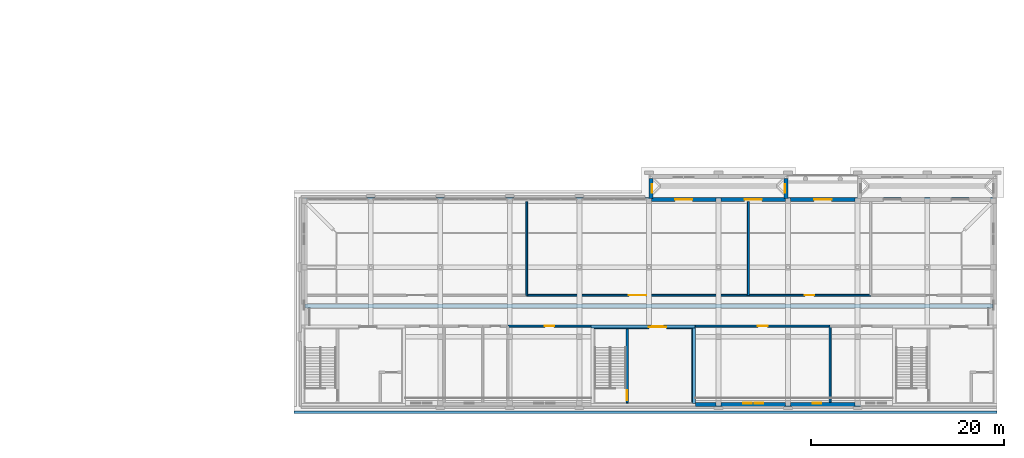
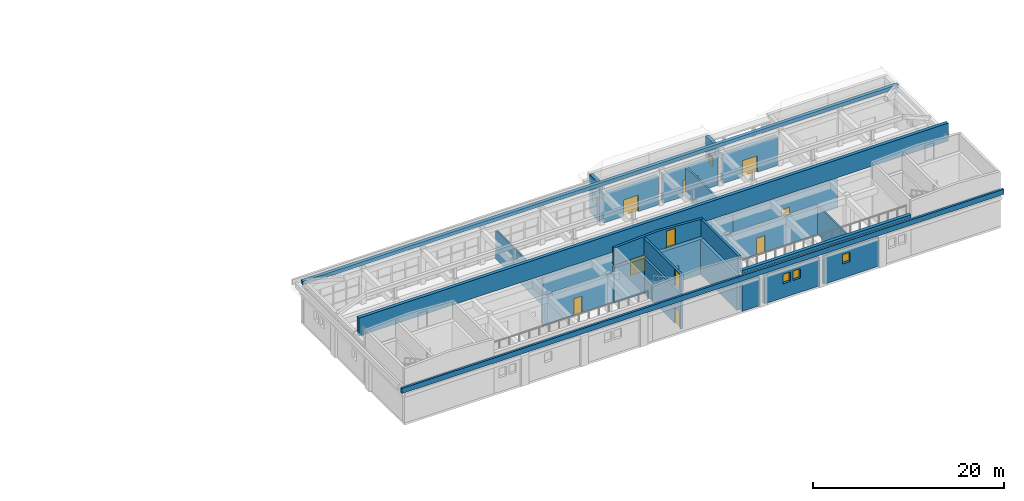
# One storey, part 37 of 48: 25 walls, 11 doors, 5 windows, 16 openings.
"""IFC4 building model written with IfcOpenShell, lengths in metres."""

from ifc_helpers import new_model, si_unit, direction, frame, frame_2d, origin, place, context, subcontext, project, spatial, polyline, rectangle, outline, extrude, material, layer, layer_set, type_object, element, fill, save


model = new_model("IFC4")

# Units and contexts
model_context = context("Model", 3, precision=1e-05, world=origin(), true_north=direction((0.0, 1.0)))
body_context = subcontext(model_context, "Body", "Model", "MODEL_VIEW")
ifc_project = project(units=[si_unit("LENGTHUNIT", "METRE"), si_unit("AREAUNIT", "SQUARE_METRE"), si_unit("VOLUMEUNIT", "CUBIC_METRE"), si_unit("PLANEANGLEUNIT", "RADIAN"), si_unit("MASSUNIT", "GRAM", prefix="KILO")], contexts=[model_context])

# Site, building, storey
site_placement = place(None, origin())
site = spatial("IfcSite", under=ifc_project, at=site_placement, CompositionType="ELEMENT")
building_placement = place(site_placement, origin())
building = spatial("IfcBuilding", under=site, at=building_placement, Name="Alderwick Market Hall", CompositionType="ELEMENT")
storey_placement = place(building_placement, frame((0.0, 0.0, 14.39990234375)))
storey = spatial("IfcBuildingStorey", under=building, at=storey_placement, Name="L02", CompositionType="ELEMENT", Elevation=14.39990234375)

# Wall, opening, door
ifc_material_1 = material(Name="Face brick", Category="masonry")
ifc_layer_1 = layer(ifc_material_1, 0.39990234375)
ifc_layer_set_1 = layer_set([ifc_layer_1], Name="Face brick")
wall_type_1 = type_object("IfcWallType", Name="C Brick Pier Wall 400", PredefinedType="SOLIDWALL", material=ifc_layer_set_1)
wall_1_placement = place(storey_placement, frame((194.675048828125, 28.60009765625, 0.0), z_axis=(0.0, 0.0, 1.0), x_axis=(1.0, 0.0, 0.0)))
wall_1 = element("IfcWall", 1, at=wall_1_placement, inside=storey, type_object=wall_type_1, Name="C.wall.L02.fac.front.07", PredefinedType="SOLIDWALL", context=body_context, shape_type="SweptSolid", body=[
    extrude(rectangle(XDim=6.64990234375, YDim=0.39990234375, at=frame_2d((3.324951171875, 0.0))), origin(), (0.0, 0.0, 1.0), 3.7001953125),
])
opening_1_placement = place(wall_1_placement, frame((2.425048828125, 0.0, 0.0)))
opening_1 = element("IfcOpeningElement", 2, at=opening_1_placement, cuts=wall_1, Name="Opening C-D014", PredefinedType="OPENING", context=body_context, shape_type="SweptSolid", body=[
    extrude(rectangle(XDim=1.800048828125, YDim=2.10009765625, at=frame_2d((0.89990234375, 1.050048828125))), frame((0.0, 0.2099609375, 0.0), z_axis=(0.0, -1.0, 0.0), x_axis=(1.0, 0.0, 0.0)), (0.0, 0.0, 1.0), 0.419921875),
])
ifc_material_2 = material(Name="Timber, solid core", Category="wood")
door_type_1 = type_object("IfcDoorType", Name="C Door Pair 1800x2100", OperationType="NOTDEFINED", PredefinedType="DOOR", material=ifc_material_2)
door_1_placement = place(opening_1_placement, origin())
door_1 = element("IfcDoor", 3, at=door_1_placement, inside=storey, type_object=door_type_1, Name="C.door.L02.014", OperationType="NOTDEFINED", OverallHeight=2.10009765625, OverallWidth=1.800048828125, PredefinedType="DOOR", context=body_context, shape_type="SweptSolid", body=[
    extrude(rectangle(XDim=1.800048828125, YDim=2.10009765625, at=frame_2d((0.89990234375, 1.050048828125))), frame((0.0, 0.02490234375, 0.0), z_axis=(0.0, -1.0, 0.0), x_axis=(1.0, 0.0, 0.0)), (0.0, 0.0, 1.0), 0.050048828125),
])
fill(opening_1, door_1)

wall_2_placement = place(storey_placement, frame((201.875, 28.60009765625, 0.0), z_axis=(0.0, 0.0, 1.0), x_axis=(1.0, 0.0, 0.0)))
wall_2 = element("IfcWall", 4, at=wall_2_placement, inside=storey, type_object=wall_type_1, Name="C.wall.L02.fac.front.08", PredefinedType="SOLIDWALL", context=body_context, shape_type="SweptSolid", body=[
    extrude(rectangle(XDim=6.64990234375, YDim=0.39990234375, at=frame_2d((3.324951171875, 0.0))), origin(), (0.0, 0.0, 1.0), 3.7001953125),
])
opening_2_placement = place(wall_2_placement, frame((2.425048828125, 0.0, 0.0)))
opening_2 = element("IfcOpeningElement", 5, at=opening_2_placement, cuts=wall_2, Name="Opening C-D015", PredefinedType="OPENING", context=body_context, shape_type="SweptSolid", body=[
    extrude(rectangle(XDim=1.800048828125, YDim=2.10009765625, at=frame_2d((0.89990234375, 1.050048828125))), frame((0.0, 0.2099609375, 0.0), z_axis=(0.0, -1.0, 0.0), x_axis=(1.0, 0.0, 0.0)), (0.0, 0.0, 1.0), 0.419921875),
])
door_2_placement = place(opening_2_placement, origin())
door_2 = element("IfcDoor", 6, at=door_2_placement, inside=storey, type_object=door_type_1, Name="C.door.L02.015", OperationType="NOTDEFINED", OverallHeight=2.10009765625, OverallWidth=1.800048828125, PredefinedType="DOOR", context=body_context, shape_type="SweptSolid", body=[
    extrude(rectangle(XDim=1.800048828125, YDim=2.10009765625, at=frame_2d((0.89990234375, 1.050048828125))), frame((0.0, 0.02490234375, 0.0), z_axis=(0.0, -1.0, 0.0), x_axis=(1.0, 0.0, 0.0)), (0.0, 0.0, 1.0), 0.050048828125),
])
fill(opening_2, door_2)

wall_3_placement = place(storey_placement, frame((209.074951171875, 28.60009765625, 0.0), z_axis=(0.0, 0.0, 1.0), x_axis=(1.0, 0.0, 0.0)))
wall_3 = element("IfcWall", 7, at=wall_3_placement, inside=storey, type_object=wall_type_1, Name="C.wall.L02.fac.front.09", PredefinedType="SOLIDWALL", context=body_context, shape_type="SweptSolid", body=[
    extrude(rectangle(XDim=6.650146484375, YDim=0.39990234375, at=frame_2d((3.3251953125, 0.0))), origin(), (0.0, 0.0, 1.0), 3.7001953125),
])
opening_3_placement = place(wall_3_placement, frame((2.425048828125, 0.0, 0.0)))
opening_3 = element("IfcOpeningElement", 8, at=opening_3_placement, cuts=wall_3, Name="Opening C-D016", PredefinedType="OPENING", context=body_context, shape_type="SweptSolid", body=[
    extrude(rectangle(XDim=1.800048828125, YDim=2.10009765625, at=frame_2d((0.89990234375, 1.050048828125))), frame((0.0, 0.2099609375, 0.0), z_axis=(0.0, -1.0, 0.0), x_axis=(1.0, 0.0, 0.0)), (0.0, 0.0, 1.0), 0.419921875),
])
door_3_placement = place(opening_3_placement, origin())
door_3 = element("IfcDoor", 9, at=door_3_placement, inside=storey, type_object=door_type_1, Name="C.door.L02.016", OperationType="NOTDEFINED", OverallHeight=2.10009765625, OverallWidth=1.800048828125, PredefinedType="DOOR", context=body_context, shape_type="SweptSolid", body=[
    extrude(rectangle(XDim=1.800048828125, YDim=2.10009765625, at=frame_2d((0.89990234375, 1.050048828125))), frame((0.0, 0.02490234375, 0.0), z_axis=(0.0, -1.0, 0.0), x_axis=(1.0, 0.0, 0.0)), (0.0, 0.0, 1.0), 0.050048828125),
])
fill(opening_3, door_3)

# Wall
wall_4_placement = place(storey_placement, frame((201.324951171875, 7.39990234375, 0.0), z_axis=(0.0, 0.0, 1.0), x_axis=(-1.0, 0.0, 0.0)))
element("IfcWall", 10, at=wall_4_placement, inside=storey, type_object=wall_type_1, Name="C.wall.L02.fac.back.07", PredefinedType="SOLIDWALL", context=body_context, shape_type="SweptSolid", body=[
    extrude(rectangle(XDim=2.125, YDim=0.39990234375, at=frame_2d((1.0625, 0.0))), origin(), (0.0, 0.0, 1.0), 3.7001953125),
])

# Wall, openings, windows
wall_5_placement = place(storey_placement, frame((208.52490234375, 7.39990234375, 0.0), z_axis=(0.0, 0.0, 1.0), x_axis=(-1.0, 0.0, 0.0)))
wall_5 = element("IfcWall", 11, at=wall_5_placement, inside=storey, type_object=wall_type_1, Name="C.wall.L02.fac.back.08", PredefinedType="SOLIDWALL", context=body_context, shape_type="SweptSolid", body=[
    extrude(rectangle(XDim=6.64990234375, YDim=0.39990234375, at=frame_2d((3.324951171875, 0.0))), origin(), (0.0, 0.0, 1.0), 3.7001953125),
])
opening_4_placement = place(wall_5_placement, frame((2.27490234375, 0.0, 1.800048828125)))
opening_4 = element("IfcOpeningElement", 12, at=opening_4_placement, cuts=wall_5, Name="Opening C-W062", PredefinedType="OPENING", context=body_context, shape_type="SweptSolid", body=[
    extrude(rectangle(XDim=0.89990234375, YDim=1.199951171875, at=frame_2d((0.449951171875, 0.60009765625))), frame((0.0, 0.2099609375, 0.0), z_axis=(0.0, -1.0, 0.0), x_axis=(1.0, 0.0, 0.0)), (0.0, 0.0, 1.0), 0.419921875),
])
opening_5_placement = place(wall_5_placement, frame((3.47509765625, 0.0, 1.800048828125)))
opening_5 = element("IfcOpeningElement", 13, at=opening_5_placement, cuts=wall_5, Name="Opening C-W063", PredefinedType="OPENING", context=body_context, shape_type="SweptSolid", body=[
    extrude(rectangle(XDim=0.89990234375, YDim=1.199951171875, at=frame_2d((0.449951171875, 0.60009765625))), frame((0.0, 0.2099609375, 0.0), z_axis=(0.0, -1.0, 0.0), x_axis=(1.0, 0.0, 0.0)), (0.0, 0.0, 1.0), 0.419921875),
])
ifc_material_3 = material(Name="Aluminium frame, double glazing", Category="aluminium")
window_type = type_object("IfcWindowType", Name="C Paired Attic Window 900x1200", PartitioningType="SINGLE_PANEL", PredefinedType="WINDOW", material=ifc_material_3)
window_1_placement = place(opening_4_placement, origin())
window_1 = element("IfcWindow", 14, at=window_1_placement, inside=storey, type_object=window_type, Name="C.win.L02.062", OverallHeight=1.199951171875, OverallWidth=0.89990234375, PartitioningType="SINGLE_PANEL", PredefinedType="WINDOW", context=body_context, shape_type="SweptSolid", body=[
    extrude(rectangle(XDim=0.89990234375, YDim=1.199951171875, at=frame_2d((0.449951171875, 0.60009765625))), frame((0.0, -0.090087890625, 0.0), z_axis=(0.0, -1.0, 0.0), x_axis=(1.0, 0.0, 0.0)), (0.0, 0.0, 1.0), 0.06005859375),
])
fill(opening_4, window_1)
window_2_placement = place(opening_5_placement, origin())
window_2 = element("IfcWindow", 15, at=window_2_placement, inside=storey, type_object=window_type, Name="C.win.L02.063", OverallHeight=1.199951171875, OverallWidth=0.89990234375, PartitioningType="SINGLE_PANEL", PredefinedType="WINDOW", context=body_context, shape_type="SweptSolid", body=[
    extrude(rectangle(XDim=0.89990234375, YDim=1.199951171875, at=frame_2d((0.449951171875, 0.60009765625))), frame((0.0, -0.090087890625, 0.0), z_axis=(0.0, -1.0, 0.0), x_axis=(1.0, 0.0, 0.0)), (0.0, 0.0, 1.0), 0.06005859375),
])
fill(opening_5, window_2)

# Wall, opening, window
wall_6_placement = place(storey_placement, frame((215.72509765625, 7.39990234375, 0.0), z_axis=(0.0, 0.0, 1.0), x_axis=(-1.0, 0.0, 0.0)))
wall_6 = element("IfcWall", 16, at=wall_6_placement, inside=storey, type_object=wall_type_1, Name="C.wall.L02.fac.back.09", PredefinedType="SOLIDWALL", context=body_context, shape_type="SweptSolid", body=[
    extrude(rectangle(XDim=6.650146484375, YDim=0.39990234375, at=frame_2d((3.3251953125, 0.0))), origin(), (0.0, 0.0, 1.0), 3.7001953125),
])
opening_6_placement = place(wall_6_placement, frame((3.47509765625, 0.0, 1.800048828125)))
opening_6 = element("IfcOpeningElement", 17, at=opening_6_placement, cuts=wall_6, Name="Opening C-W064", PredefinedType="OPENING", context=body_context, shape_type="SweptSolid", body=[
    extrude(rectangle(XDim=0.89990234375, YDim=1.199951171875, at=frame_2d((0.449951171875, 0.60009765625))), frame((0.0, 0.2099609375, 0.0), z_axis=(0.0, -1.0, 0.0), x_axis=(1.0, 0.0, 0.0)), (0.0, 0.0, 1.0), 0.419921875),
])
window_3_placement = place(opening_6_placement, origin())
window_3 = element("IfcWindow", 18, at=window_3_placement, inside=storey, type_object=window_type, Name="C.win.L02.064", OverallHeight=1.199951171875, OverallWidth=0.89990234375, PartitioningType="SINGLE_PANEL", PredefinedType="WINDOW", context=body_context, shape_type="SweptSolid", body=[
    extrude(rectangle(XDim=0.89990234375, YDim=1.199951171875, at=frame_2d((0.449951171875, 0.60009765625))), frame((0.0, -0.090087890625, 0.0), z_axis=(0.0, -1.0, 0.0), x_axis=(1.0, 0.0, 0.0)), (0.0, 0.0, 1.0), 0.06005859375),
])
fill(opening_6, window_3)

wall_7_placement = place(storey_placement, frame((194.60009765625, 28.72509765625, 0.0), z_axis=(0.0, 0.0, 1.0), x_axis=(0.0, 1.0, 0.0)))
wall_7 = element("IfcWall", 19, at=wall_7_placement, inside=storey, type_object=wall_type_1, Name="C.wall.L02.pav1.west.01", PredefinedType="SOLIDWALL", context=body_context, shape_type="SweptSolid", body=[
    extrude(rectangle(XDim=2.074951171875, YDim=0.39990234375, at=frame_2d((1.03759765625, 0.0))), origin(), (0.0, 0.0, 1.0), 4.892578125),
])
opening_7_placement = place(wall_7_placement, frame((0.58740234375, 0.0, 1.800048828125)))
opening_7 = element("IfcOpeningElement", 20, at=opening_7_placement, cuts=wall_7, Name="Opening C-W086", PredefinedType="OPENING", context=body_context, shape_type="SweptSolid", body=[
    extrude(rectangle(XDim=0.89990234375, YDim=1.199951171875, at=frame_2d((0.449951171875, 0.60009765625))), frame((0.0, 0.2099609375, 0.0), z_axis=(0.0, -1.0, 0.0), x_axis=(1.0, 0.0, 0.0)), (0.0, 0.0, 1.0), 0.419921875),
])
window_4_placement = place(opening_7_placement, origin())
window_4 = element("IfcWindow", 21, at=window_4_placement, inside=storey, type_object=window_type, Name="C.win.L02.086", OverallHeight=1.199951171875, OverallWidth=0.89990234375, PartitioningType="SINGLE_PANEL", PredefinedType="WINDOW", context=body_context, shape_type="SweptSolid", body=[
    extrude(rectangle(XDim=0.89990234375, YDim=1.199951171875, at=frame_2d((0.449951171875, 0.60009765625))), frame((0.0, -0.090087890625, 0.0), z_axis=(0.0, -1.0, 0.0), x_axis=(1.0, 0.0, 0.0)), (0.0, 0.0, 1.0), 0.06005859375),
])
fill(opening_7, window_4)

wall_8_placement = place(storey_placement, frame((208.60009765625, 30.800048828125, 0.0), z_axis=(0.0, 0.0, 1.0), x_axis=(0.0, -1.0, 0.0)))
wall_8 = element("IfcWall", 22, at=wall_8_placement, inside=storey, type_object=wall_type_1, Name="C.wall.L02.pav1.east.01", PredefinedType="SOLIDWALL", context=body_context, shape_type="SweptSolid", body=[
    extrude(rectangle(XDim=2.074951171875, YDim=0.39990234375, at=frame_2d((1.03759765625, 0.0))), origin(), (0.0, 0.0, 1.0), 4.892578125),
])
opening_8_placement = place(wall_8_placement, frame((0.58740234375, 0.0, 1.800048828125)))
opening_8 = element("IfcOpeningElement", 23, at=opening_8_placement, cuts=wall_8, Name="Opening C-W087", PredefinedType="OPENING", context=body_context, shape_type="SweptSolid", body=[
    extrude(rectangle(XDim=0.89990234375, YDim=1.199951171875, at=frame_2d((0.449951171875, 0.60009765625))), frame((0.0, 0.2099609375, 0.0), z_axis=(0.0, -1.0, 0.0), x_axis=(1.0, 0.0, 0.0)), (0.0, 0.0, 1.0), 0.419921875),
])
window_5_placement = place(opening_8_placement, origin())
window_5 = element("IfcWindow", 24, at=window_5_placement, inside=storey, type_object=window_type, Name="C.win.L02.087", OverallHeight=1.199951171875, OverallWidth=0.89990234375, PartitioningType="SINGLE_PANEL", PredefinedType="WINDOW", context=body_context, shape_type="SweptSolid", body=[
    extrude(rectangle(XDim=0.89990234375, YDim=1.199951171875, at=frame_2d((0.449951171875, 0.60009765625))), frame((0.0, -0.090087890625, 0.0), z_axis=(0.0, -1.0, 0.0), x_axis=(1.0, 0.0, 0.0)), (0.0, 0.0, 1.0), 0.06005859375),
])
fill(opening_8, window_5)

# Wall, opening, door
ifc_material_4 = material(Name="Concrete 5000 psi (f'c 35 MPa)", Category="concrete")
ifc_layer_2 = layer(ifc_material_4, 0.39990234375)
ifc_layer_set_2 = layer_set([ifc_layer_2], Name="Concrete 5000 psi (f'c 35 MPa)")
wall_type_2 = type_object("IfcWallType", Name="C Core Wall Concrete 5000 psi 400", PredefinedType="SHEAR", material=ifc_layer_set_2)
wall_9_placement = place(storey_placement, frame((188.39990234375, 15.39990234375, 0.0), z_axis=(0.0, 0.0, 1.0), x_axis=(1.0, 0.0, 0.0)))
wall_9 = element("IfcWall", 25, at=wall_9_placement, inside=storey, type_object=wall_type_2, Name="C.wall.L02.core.B.front.01", PredefinedType="SHEAR", context=body_context, shape_type="SweptSolid", body=[
    extrude(rectangle(XDim=10.800048828125, YDim=0.39990234375, at=frame_2d((5.39990234375, 0.0))), origin(), (0.0, 0.0, 1.0), 4.5),
])
opening_9_placement = place(wall_9_placement, frame((6.0, 0.0, 0.0)))
opening_9 = element("IfcOpeningElement", 26, at=opening_9_placement, cuts=wall_9, Name="Opening C-D076", PredefinedType="OPENING", context=body_context, shape_type="SweptSolid", body=[
    extrude(rectangle(XDim=1.800048828125, YDim=2.10009765625, at=frame_2d((0.89990234375, 1.050048828125))), frame((0.0, 0.2099609375, 0.0), z_axis=(0.0, -1.0, 0.0), x_axis=(1.0, 0.0, 0.0)), (0.0, 0.0, 1.0), 0.419921875),
])
ifc_material_5 = material(Name="Steel, insulated", Category="steel")
door_type_2 = type_object("IfcDoorType", Name="C Fire Door Pair FD90 1800x2100", OperationType="NOTDEFINED", PredefinedType="DOOR", material=ifc_material_5)
door_4_placement = place(opening_9_placement, origin())
door_4 = element("IfcDoor", 27, at=door_4_placement, inside=storey, type_object=door_type_2, Name="C.door.L02.076", OperationType="NOTDEFINED", OverallHeight=2.10009765625, OverallWidth=1.800048828125, PredefinedType="DOOR", context=body_context, shape_type="SweptSolid", body=[
    extrude(rectangle(XDim=1.800048828125, YDim=2.10009765625, at=frame_2d((0.89990234375, 1.050048828125))), frame((0.0, 0.02490234375, 0.0), z_axis=(0.0, -1.0, 0.0), x_axis=(1.0, 0.0, 0.0)), (0.0, 0.0, 1.0), 0.050048828125),
])
fill(opening_9, door_4)

# Walls
wall_10_placement = place(storey_placement, frame((199.0, 15.199951171875, 0.0), z_axis=(0.0, 0.0, 1.0), x_axis=(0.0, -1.0, 0.0)))
element("IfcWall", 28, at=wall_10_placement, inside=storey, type_object=wall_type_2, Name="C.wall.L02.core.B.east.01", PredefinedType="SHEAR", context=body_context, shape_type="SweptSolid", body=[
    extrude(rectangle(XDim=7.599853515625, YDim=0.39990234375, at=frame_2d((3.7998046875, 0.0))), origin(), (0.0, 0.0, 1.0), 4.5),
])
ifc_material_6 = material(Name="Cast stone 5000 psi", Category="masonry")
ifc_layer_3 = layer(ifc_material_6, 0.25)
ifc_layer_set_3 = layer_set([ifc_layer_3], Name="Cast stone 5000 psi")
wall_type_3 = type_object("IfcWallType", Name="C Cornice Fascia Cast Stone 250x650", PredefinedType="SOLIDWALL", material=ifc_layer_set_3)
wall_11_placement = place(storey_placement, frame((230.39990234375, 6.574951171875, 4.5), z_axis=(0.0, 0.0, 1.0), x_axis=(-1.0, 0.0, 0.0)))
element("IfcWall", 29, at=wall_11_placement, inside=storey, type_object=wall_type_3, Name="C.wall.L02.fascia.back.01", PredefinedType="SOLIDWALL", context=body_context, shape_type="SweptSolid", body=[
    extrude(rectangle(XDim=72.75, YDim=0.25, at=frame_2d((36.375, 0.0))), origin(), (0.0, 0.0, 1.0), 0.650146484375),
])
ifc_layer_4 = layer(ifc_material_4, 0.39990234375)
ifc_layer_set_4 = layer_set([ifc_layer_4], Name="Concrete 5000 psi (f'c 35 MPa)")
wall_type_4 = type_object("IfcWallType", Name="C Eaves Kerb Concrete 5000 psi 400", PredefinedType="SOLIDWALL", material=ifc_layer_set_4)
wall_12_placement = place(storey_placement, frame((158.39990234375, 28.60009765625, 4.800048828125), z_axis=(0.0, 0.0, 1.0), x_axis=(1.0, 0.0, 0.0)))
element("IfcWall", 30, at=wall_12_placement, inside=storey, type_object=wall_type_4, Name="C.wall.L02.kerb.front.01", PredefinedType="SOLIDWALL", context=body_context, shape_type="SweptSolid", body=[
    extrude(rectangle(XDim=72.0, YDim=0.39990234375, at=frame_2d((36.0, 0.0))), origin(), (0.0, 0.0, 1.0), 0.449951171875),
])

# Wall, opening, door
ifc_material_7 = material(Name="Gypsum board on steel studs", Category="steel")
ifc_layer_5 = layer(ifc_material_7, 0.199951171875)
ifc_layer_set_5 = layer_set([ifc_layer_5], Name="Gypsum board on steel studs")
wall_type_5 = type_object("IfcWallType", Name="C Fire Partition Wall 200", PredefinedType="PARTITIONING", material=ifc_layer_set_5)
wall_13_placement = place(storey_placement, frame((181.75, 18.699951171875, 0.0), z_axis=(0.0, 0.0, 1.0), x_axis=(1.0, 0.0, 0.0)))
wall_13 = element("IfcWall", 31, at=wall_13_placement, inside=storey, type_object=wall_type_5, Name="C.wall.L02.part.002", PredefinedType="PARTITIONING", context=body_context, shape_type="SweptSolid", body=[
    extrude(rectangle(XDim=22.949951171875, YDim=0.199951171875, at=frame_2d((11.47509765625, 0.0))), origin(), (0.0, 0.0, 1.0), 3.7001953125),
])
opening_10_placement = place(wall_13_placement, frame((10.574951171875, 0.0, 0.0)))
opening_10 = element("IfcOpeningElement", 32, at=opening_10_placement, cuts=wall_13, Name="Opening C-D081", PredefinedType="OPENING", context=body_context, shape_type="SweptSolid", body=[
    extrude(rectangle(XDim=1.800048828125, YDim=2.10009765625, at=frame_2d((0.89990234375, 1.050048828125))), frame((0.0, 0.10986328125, 0.0), z_axis=(0.0, -1.0, 0.0), x_axis=(1.0, 0.0, 0.0)), (0.0, 0.0, 1.0), 0.219970703125),
])
door_type_3 = type_object("IfcDoorType", Name="C Fire Door Pair FD60 1800x2100", OperationType="NOTDEFINED", PredefinedType="DOOR", material=ifc_material_5)
door_5_placement = place(opening_10_placement, origin())
door_5 = element("IfcDoor", 33, at=door_5_placement, inside=storey, type_object=door_type_3, Name="C.door.L02.081", OperationType="NOTDEFINED", OverallHeight=2.10009765625, OverallWidth=1.800048828125, PredefinedType="DOOR", context=body_context, shape_type="SweptSolid", body=[
    extrude(rectangle(XDim=1.800048828125, YDim=2.10009765625, at=frame_2d((0.89990234375, 1.050048828125))), frame((0.0, 0.02490234375, 0.0), z_axis=(0.0, -1.0, 0.0), x_axis=(1.0, 0.0, 0.0)), (0.0, 0.0, 1.0), 0.050048828125),
])
fill(opening_10, door_5)

# Walls
for number, where, z_axis, x_axis, name in (
    (34, (181.75, 28.39990234375, 0.0), (0.0, 0.0, 1.0), (0.0, -1.0, 0.0), "C.wall.L02.part.015"),
    (35, (204.699951171875, 28.39990234375, 0.0), (0.0, 0.0, 1.0), (0.0, -1.0, 0.0), "C.wall.L02.part.016"),
):
    element("IfcWall", number, at=place(storey_placement, frame(where, z_axis=z_axis, x_axis=x_axis)), inside=storey, type_object=wall_type_5, Name=name, PredefinedType="PARTITIONING", context=body_context, shape_type="SweptSolid", body=[
        extrude(rectangle(XDim=9.699951171875, YDim=0.199951171875, at=frame_2d((4.85009765625, 0.0))), origin(), (0.0, 0.0, 1.0), 3.7001953125),
    ])

# Wall, opening, door
ifc_layer_6 = layer(ifc_material_4, 0.300048828125)
ifc_layer_set_6 = layer_set([ifc_layer_6], Name="Concrete 5000 psi (f'c 35 MPa)")
wall_type_6 = type_object("IfcWallType", Name="C Head-house Wall Concrete 5000 psi 300", PredefinedType="SOLIDWALL", material=ifc_layer_set_6)
wall_14_placement = place(storey_placement, frame((188.39990234375, 15.449951171875, 4.800048828125), z_axis=(0.0, 0.0, 1.0), x_axis=(1.0, 0.0, 0.0)))
wall_14 = element("IfcWall", 36, at=wall_14_placement, inside=storey, type_object=wall_type_6, Name="C.wall.L02.head.B.front.01", PredefinedType="SOLIDWALL", context=body_context, shape_type="SweptSolid", body=[
    extrude(outline(polyline([(0.0, 0.0), (10.800048828125, 0.0), (10.800048828125, 2.150146484375), (5.39990234375, 2.449951171875), (0.0, 2.150146484375), (0.0, 0.0)])), frame((0.0, 0.14990234375, 0.0), z_axis=(0.0, -1.0, 0.0), x_axis=(1.0, 0.0, 0.0)), (0.0, 0.0, 1.0), 0.300048828125),
])
opening_11_placement = place(wall_14_placement, frame((6.35009765625, 0.0, 0.0)))
opening_11 = element("IfcOpeningElement", 37, at=opening_11_placement, cuts=wall_14, Name="Opening C-D093", PredefinedType="OPENING", context=body_context, shape_type="SweptSolid", body=[
    extrude(rectangle(XDim=1.10009765625, YDim=2.10009765625, at=frame_2d((0.550048828125, 1.050048828125))), frame((0.0, 0.159912109375, 0.0), z_axis=(0.0, -1.0, 0.0), x_axis=(1.0, 0.0, 0.0)), (0.0, 0.0, 1.0), 0.320068359375),
])
door_type_4 = type_object("IfcDoorType", Name="C Exit Door FD60 1100x2100", OperationType="NOTDEFINED", PredefinedType="DOOR", material=ifc_material_5)
door_6_placement = place(opening_11_placement, origin())
door_6 = element("IfcDoor", 38, at=door_6_placement, inside=storey, type_object=door_type_4, Name="C.door.L02.093", OperationType="NOTDEFINED", OverallHeight=2.10009765625, OverallWidth=1.10009765625, PredefinedType="DOOR", context=body_context, shape_type="SweptSolid", body=[
    extrude(rectangle(XDim=1.10009765625, YDim=2.10009765625, at=frame_2d((0.550048828125, 1.050048828125))), frame((0.0, 0.02490234375, 0.0), z_axis=(0.0, -1.0, 0.0), x_axis=(1.0, 0.0, 0.0)), (0.0, 0.0, 1.0), 0.050048828125),
])
fill(opening_11, door_6)

# Wall
wall_15_placement = place(storey_placement, frame((199.050048828125, 15.300048828125, 4.800048828125), z_axis=(0.0, 0.0, 1.0), x_axis=(0.0, -1.0, 0.0)))
element("IfcWall", 39, at=wall_15_placement, inside=storey, type_object=wall_type_6, Name="C.wall.L02.head.B.east.01", PredefinedType="SOLIDWALL", context=body_context, shape_type="SweptSolid", body=[
    extrude(rectangle(XDim=7.800048828125, YDim=0.300048828125, at=frame_2d((3.89990234375, 0.0))), origin(), (0.0, 0.0, 1.0), 2.150146484375),
])

# Wall, opening, door
wall_16_placement = place(storey_placement, frame((192.14990234375, 15.300048828125, 4.800048828125), z_axis=(0.0, 0.0, 1.0), x_axis=(0.0, -1.0, 0.0)))
wall_16 = element("IfcWall", 40, at=wall_16_placement, inside=storey, type_object=wall_type_6, Name="C.wall.L02.head.B.div.01", PredefinedType="SOLIDWALL", context=body_context, shape_type="SweptSolid", body=[
    extrude(rectangle(XDim=7.800048828125, YDim=0.300048828125, at=frame_2d((3.89990234375, 0.0))), origin(), (0.0, 0.0, 1.0), 2.150146484375),
])
opening_12_placement = place(wall_16_placement, frame((6.449951171875, 0.0, 0.0)))
opening_12 = element("IfcOpeningElement", 41, at=opening_12_placement, cuts=wall_16, Name="Opening C-D092", PredefinedType="OPENING", context=body_context, shape_type="SweptSolid", body=[
    extrude(rectangle(XDim=1.0, YDim=2.10009765625, at=frame_2d((0.5, 1.050048828125))), frame((0.0, 0.159912109375, 0.0), z_axis=(0.0, -1.0, 0.0), x_axis=(1.0, 0.0, 0.0)), (0.0, 0.0, 1.0), 0.320068359375),
])
door_type_5 = type_object("IfcDoorType", Name="C Fire Door FD90 1000x2100", OperationType="NOTDEFINED", PredefinedType="DOOR", material=ifc_material_5)
door_7_placement = place(opening_12_placement, origin())
door_7 = element("IfcDoor", 42, at=door_7_placement, inside=storey, type_object=door_type_5, Name="C.door.L02.092", OperationType="NOTDEFINED", OverallHeight=2.10009765625, OverallWidth=1.0, PredefinedType="DOOR", context=body_context, shape_type="SweptSolid", body=[
    extrude(rectangle(XDim=1.0, YDim=2.10009765625, at=frame_2d((0.5, 1.050048828125))), frame((0.0, 0.02490234375, 0.0), z_axis=(0.0, -1.0, 0.0), x_axis=(1.0, 0.0, 0.0)), (0.0, 0.0, 1.0), 0.050048828125),
])
fill(opening_12, door_7)

# Wall
ifc_layer_7 = layer(ifc_material_4, 0.39990234375)
ifc_layer_set_7 = layer_set([ifc_layer_7], Name="Concrete 5000 psi (f'c 35 MPa)")
wall_type_7 = type_object("IfcWallType", Name="C Mansard Rear Gable Wall Concrete 5000 psi 400", PredefinedType="SOLIDWALL", material=ifc_layer_set_7)
wall_17_placement = place(storey_placement, frame((158.800048828125, 17.60009765625, 4.800048828125), z_axis=(0.0, 0.0, 1.0), x_axis=(1.0, 0.0, 0.0)))
element("IfcWall", 43, at=wall_17_placement, inside=storey, type_object=wall_type_7, Name="C.wall.L02.mansard.rear.01", PredefinedType="SOLIDWALL", context=body_context, shape_type="SweptSolid", body=[
    extrude(rectangle(XDim=71.199951171875, YDim=0.39990234375, at=frame_2d((35.60009765625, 0.0))), origin(), (0.0, 0.0, 1.0), 2.300048828125),
])

# Wall, opening, door
ifc_layer_8 = layer(ifc_material_7, 0.199951171875)
ifc_layer_set_8 = layer_set([ifc_layer_8], Name="Gypsum board on steel studs")
wall_type_8 = type_object("IfcWallType", Name="C Partition Wall 200", PredefinedType="PARTITIONING", material=ifc_layer_set_8)
wall_18_placement = place(storey_placement, frame((204.699951171875, 18.699951171875, 0.0), z_axis=(0.0, 0.0, 1.0), x_axis=(1.0, 0.0, 0.0)))
wall_18 = element("IfcWall", 44, at=wall_18_placement, inside=storey, type_object=wall_type_8, Name="C.wall.L02.part.003", PredefinedType="PARTITIONING", context=body_context, shape_type="SweptSolid", body=[
    extrude(rectangle(XDim=12.650146484375, YDim=0.199951171875, at=frame_2d((6.3251953125, 0.0))), origin(), (0.0, 0.0, 1.0), 3.7001953125),
])
opening_13_placement = place(wall_18_placement, frame((5.824951171875, 0.0, 0.0)))
opening_13 = element("IfcOpeningElement", 45, at=opening_13_placement, cuts=wall_18, Name="Opening C-D082", PredefinedType="OPENING", context=body_context, shape_type="SweptSolid", body=[
    extrude(rectangle(XDim=1.0, YDim=2.10009765625, at=frame_2d((0.5, 1.050048828125))), frame((0.0, 0.10986328125, 0.0), z_axis=(0.0, -1.0, 0.0), x_axis=(1.0, 0.0, 0.0)), (0.0, 0.0, 1.0), 0.219970703125),
])
door_type_6 = type_object("IfcDoorType", Name="C Door 1000x2100", OperationType="NOTDEFINED", PredefinedType="DOOR", material=ifc_material_2)
door_8_placement = place(opening_13_placement, origin())
door_8 = element("IfcDoor", 46, at=door_8_placement, inside=storey, type_object=door_type_6, Name="C.door.L02.082", OperationType="NOTDEFINED", OverallHeight=2.10009765625, OverallWidth=1.0, PredefinedType="DOOR", context=body_context, shape_type="SweptSolid", body=[
    extrude(rectangle(XDim=1.0, YDim=2.10009765625, at=frame_2d((0.5, 1.050048828125))), frame((0.0, 0.02490234375, 0.0), z_axis=(0.0, -1.0, 0.0), x_axis=(1.0, 0.0, 0.0)), (0.0, 0.0, 1.0), 0.050048828125),
])
fill(opening_13, door_8)

wall_19_placement = place(storey_placement, frame((179.800048828125, 15.5, 0.0), z_axis=(0.0, 0.0, 1.0), x_axis=(1.0, 0.0, 0.0)))
wall_19 = element("IfcWall", 47, at=wall_19_placement, inside=storey, type_object=wall_type_8, Name="C.wall.L02.part.008", PredefinedType="PARTITIONING", context=body_context, shape_type="SweptSolid", body=[
    extrude(rectangle(XDim=8.599853515625, YDim=0.199951171875, at=frame_2d((4.2998046875, 0.0))), origin(), (0.0, 0.0, 1.0), 3.7001953125),
])
opening_14_placement = place(wall_19_placement, frame((3.800048828125, 0.0, 0.0)))
opening_14 = element("IfcOpeningElement", 48, at=opening_14_placement, cuts=wall_19, Name="Opening C-D087", PredefinedType="OPENING", context=body_context, shape_type="SweptSolid", body=[
    extrude(rectangle(XDim=1.0, YDim=2.10009765625, at=frame_2d((0.5, 1.050048828125))), frame((0.0, 0.10986328125, 0.0), z_axis=(0.0, -1.0, 0.0), x_axis=(1.0, 0.0, 0.0)), (0.0, 0.0, 1.0), 0.219970703125),
])
door_9_placement = place(opening_14_placement, origin())
door_9 = element("IfcDoor", 49, at=door_9_placement, inside=storey, type_object=door_type_6, Name="C.door.L02.087", OperationType="NOTDEFINED", OverallHeight=2.10009765625, OverallWidth=1.0, PredefinedType="DOOR", context=body_context, shape_type="SweptSolid", body=[
    extrude(rectangle(XDim=1.0, YDim=2.10009765625, at=frame_2d((0.5, 1.050048828125))), frame((0.0, 0.02490234375, 0.0), z_axis=(0.0, -1.0, 0.0), x_axis=(1.0, 0.0, 0.0)), (0.0, 0.0, 1.0), 0.050048828125),
])
fill(opening_14, door_9)

wall_20_placement = place(storey_placement, frame((199.199951171875, 15.5, 0.0), z_axis=(0.0, 0.0, 1.0), x_axis=(1.0, 0.0, 0.0)))
wall_20 = element("IfcWall", 50, at=wall_20_placement, inside=storey, type_object=wall_type_8, Name="C.wall.L02.part.009", PredefinedType="PARTITIONING", context=body_context, shape_type="SweptSolid", body=[
    extrude(rectangle(XDim=13.949951171875, YDim=0.199951171875, at=frame_2d((6.97509765625, 0.0))), origin(), (0.0, 0.0, 1.0), 3.7001953125),
])
opening_15_placement = place(wall_20_placement, frame((6.47509765625, 0.0, 0.0)))
opening_15 = element("IfcOpeningElement", 51, at=opening_15_placement, cuts=wall_20, Name="Opening C-D088", PredefinedType="OPENING", context=body_context, shape_type="SweptSolid", body=[
    extrude(rectangle(XDim=1.0, YDim=2.10009765625, at=frame_2d((0.5, 1.050048828125))), frame((0.0, 0.10986328125, 0.0), z_axis=(0.0, -1.0, 0.0), x_axis=(1.0, 0.0, 0.0)), (0.0, 0.0, 1.0), 0.219970703125),
])
door_10_placement = place(opening_15_placement, origin())
door_10 = element("IfcDoor", 52, at=door_10_placement, inside=storey, type_object=door_type_6, Name="C.door.L02.088", OperationType="NOTDEFINED", OverallHeight=2.10009765625, OverallWidth=1.0, PredefinedType="DOOR", context=body_context, shape_type="SweptSolid", body=[
    extrude(rectangle(XDim=1.0, YDim=2.10009765625, at=frame_2d((0.5, 1.050048828125))), frame((0.0, 0.02490234375, 0.0), z_axis=(0.0, -1.0, 0.0), x_axis=(1.0, 0.0, 0.0)), (0.0, 0.0, 1.0), 0.050048828125),
])
fill(opening_15, door_10)

# Walls
wall_21_placement = place(storey_placement, frame((213.14990234375, 15.5, 0.0), z_axis=(0.0, 0.0, 1.0), x_axis=(0.0, -1.0, 0.0)))
element("IfcWall", 53, at=wall_21_placement, inside=storey, type_object=wall_type_8, Name="C.wall.L02.part.017", PredefinedType="PARTITIONING", context=body_context, shape_type="SweptSolid", body=[
    extrude(rectangle(XDim=7.89990234375, YDim=0.199951171875, at=frame_2d((3.949951171875, 0.0))), origin(), (0.0, 0.0, 1.0), 3.7001953125),
])
ifc_layer_9 = layer(ifc_material_4, 0.39990234375)
ifc_layer_set_9 = layer_set([ifc_layer_9], Name="Concrete 5000 psi (f'c 35 MPa)")
wall_type_9 = type_object("IfcWallType", Name="C Roof Parapet Concrete 5000 psi 400", PredefinedType="PARAPET", material=ifc_layer_set_9)
wall_22_placement = place(storey_placement, frame((219.60009765625, 7.39990234375, 4.800048828125), z_axis=(0.0, 0.0, 1.0), x_axis=(-1.0, 0.0, 0.0)))
element("IfcWall", 54, at=wall_22_placement, inside=storey, type_object=wall_type_9, Name="C.wall.L02.parapet.back.02", PredefinedType="PARAPET", context=body_context, shape_type="SweptSolid", body=[
    extrude(rectangle(XDim=20.400146484375, YDim=0.39990234375, at=frame_2d((10.2001953125, 0.0))), origin(), (0.0, 0.0, 1.0), 0.400146484375),
])

# Wall, opening, door
ifc_layer_10 = layer(ifc_material_4, 0.300048828125)
ifc_layer_set_10 = layer_set([ifc_layer_10], Name="Concrete 5000 psi (f'c 35 MPa)")
wall_type_10 = type_object("IfcWallType", Name="C Stair Divider Wall Concrete 5000 psi 300", PredefinedType="SHEAR", material=ifc_layer_set_10)
wall_23_placement = place(storey_placement, frame((192.14990234375, 15.199951171875, 0.0), z_axis=(0.0, 0.0, 1.0), x_axis=(0.0, -1.0, 0.0)))
wall_23 = element("IfcWall", 55, at=wall_23_placement, inside=storey, type_object=wall_type_10, Name="C.wall.L02.core.B.div.01", PredefinedType="SHEAR", context=body_context, shape_type="SweptSolid", body=[
    extrude(rectangle(XDim=7.599853515625, YDim=0.300048828125, at=frame_2d((3.7998046875, 0.0))), origin(), (0.0, 0.0, 1.0), 4.5),
])
opening_16_placement = place(wall_23_placement, frame((6.35009765625, 0.0, 0.0)))
opening_16 = element("IfcOpeningElement", 56, at=opening_16_placement, cuts=wall_23, Name="Opening C-D075", PredefinedType="OPENING", context=body_context, shape_type="SweptSolid", body=[
    extrude(rectangle(XDim=1.0, YDim=2.10009765625, at=frame_2d((0.5, 1.050048828125))), frame((0.0, 0.159912109375, 0.0), z_axis=(0.0, -1.0, 0.0), x_axis=(1.0, 0.0, 0.0)), (0.0, 0.0, 1.0), 0.320068359375),
])
door_11_placement = place(opening_16_placement, origin())
door_11 = element("IfcDoor", 57, at=door_11_placement, inside=storey, type_object=door_type_5, Name="C.door.L02.075", OperationType="NOTDEFINED", OverallHeight=2.10009765625, OverallWidth=1.0, PredefinedType="DOOR", context=body_context, shape_type="SweptSolid", body=[
    extrude(rectangle(XDim=1.0, YDim=2.10009765625, at=frame_2d((0.5, 1.050048828125))), frame((0.0, 0.02490234375, 0.0), z_axis=(0.0, -1.0, 0.0), x_axis=(1.0, 0.0, 0.0)), (0.0, 0.0, 1.0), 0.050048828125),
])
fill(opening_16, door_11)

save(model, "model.ifc")
